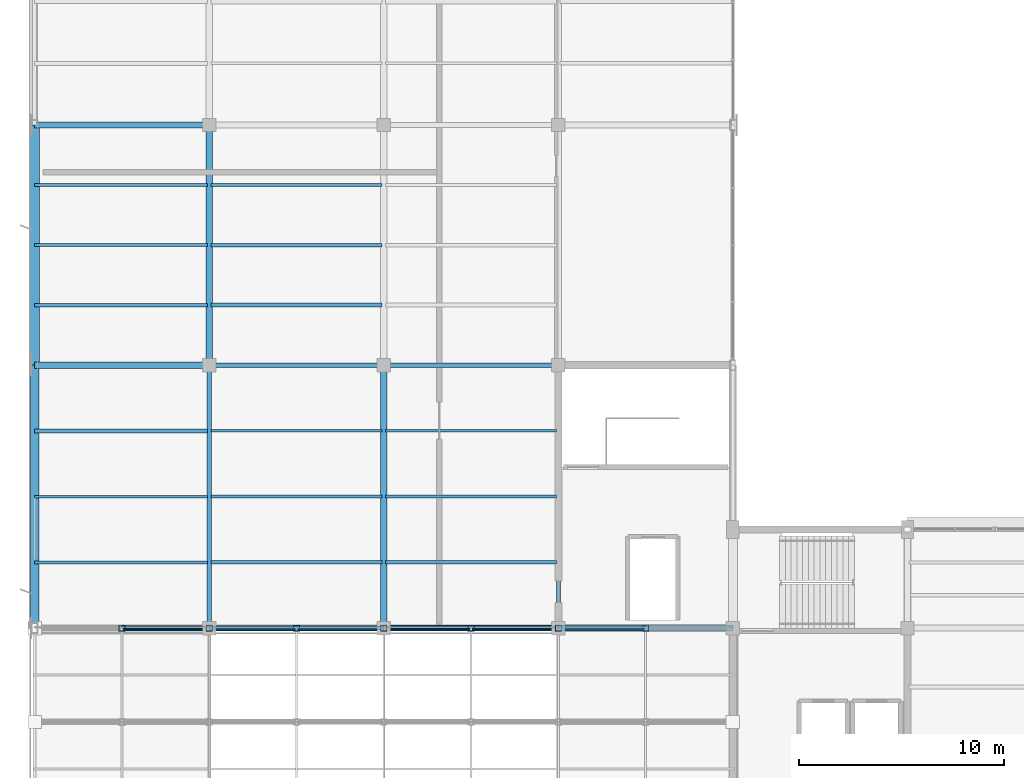
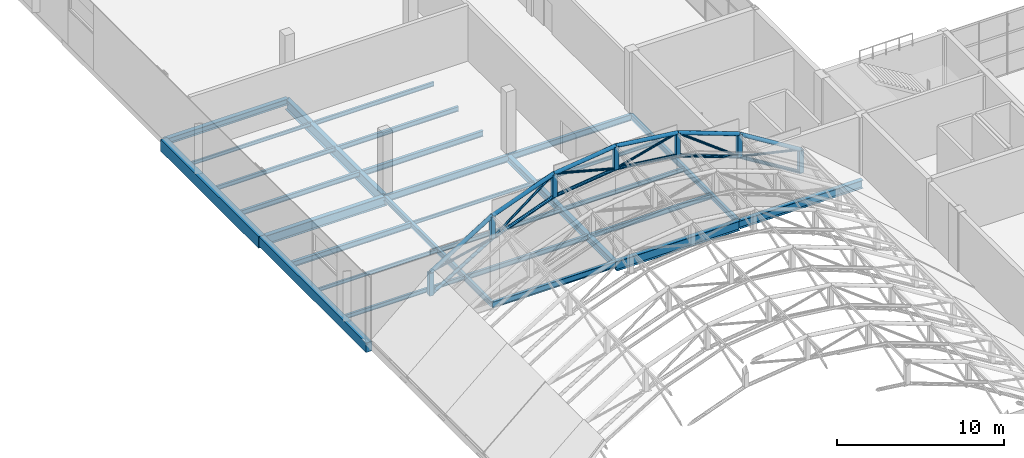
# One storey, part 24 of 86: 28 beams, 25 members.
"""IFC4 building model written with IfcOpenShell, lengths in metres."""

from ifc_helpers import new_model, si_unit, direction, frame, origin, origin_2d, place, context, subcontext, project, spatial, rectangle, hollow_rectangle, hollow_circle, i_section, extrude, material, material_profile, profile_set, type_object, element, save


model = new_model("IFC4")

# Units and contexts
model_context = context("Model", 3, precision=1e-05, world=origin(), true_north=direction((0.0, 1.0)))
body_context = subcontext(model_context, "Body", "Model", "MODEL_VIEW")
ifc_project = project(units=[si_unit("LENGTHUNIT", "METRE"), si_unit("AREAUNIT", "SQUARE_METRE"), si_unit("VOLUMEUNIT", "CUBIC_METRE"), si_unit("PLANEANGLEUNIT", "RADIAN"), si_unit("MASSUNIT", "GRAM", prefix="KILO")], contexts=[model_context])

# Site, building, storey
site_placement = place(None, origin())
site = spatial("IfcSite", under=ifc_project, at=site_placement, CompositionType="ELEMENT")
building_placement = place(site_placement, origin())
building = spatial("IfcBuilding", under=site, at=building_placement, Name="Solvikara Media Centre", CompositionType="ELEMENT")
storey_placement = place(building_placement, frame((0.0, 0.0, 15.0)))
storey = spatial("IfcBuildingStorey", under=building, at=storey_placement, Name="L03", CompositionType="ELEMENT", Elevation=15.0)

# Beams
ifc_material_1 = material(Name="Concrete fc' 35 MPa (C35/45)", Category="concrete")
ifc_material_profile_1 = material_profile(ifc_material_1, rectangle(XDim=0.39990234375, YDim=0.699951171875, at=origin_2d()), Name="RC 400x700")
ifc_profile_set_1 = profile_set([ifc_material_profile_1], Name="Concrete fc' 35 MPa (C35/45)")
beam_type_1 = type_object("IfcBeamType", Name="BM-13", PredefinedType="SPANDREL", material=ifc_profile_set_1)
beam_1_placement = place(storey_placement, frame((0.0, 32.0, -0.610107421875), z_axis=(0.0, 1.0, 0.0), x_axis=(-1.0, 0.0, 0.0)))
element("IfcBeam", 1, at=beam_1_placement, inside=storey, type_object=beam_type_1, Name="B-L03-Y1225", PredefinedType="SPANDREL", context=body_context, shape_type="SweptSolid", body=[
    extrude(rectangle(XDim=0.39990234375, YDim=0.699951171875, at=origin_2d()), origin(), (0.0, 0.0, 1.0), 12.800048828125),
])
ifc_material_profile_2 = material_profile(ifc_material_1, rectangle(XDim=0.449951171875, YDim=0.85009765625, at=origin_2d()), Name="RC 450x850")
ifc_profile_set_2 = profile_set([ifc_material_profile_2], Name="Concrete fc' 35 MPa (C35/45)")
beam_type_2 = type_object("IfcBeamType", Name="BM-14", PredefinedType="SPANDREL", material=ifc_profile_set_2)
beam_2_placement = place(storey_placement, frame((0.0, 44.800048828125, -0.68505859375), z_axis=(0.0, 1.0, 0.0), x_axis=(-1.0, 0.0, 0.0)))
element("IfcBeam", 2, at=beam_2_placement, inside=storey, type_object=beam_type_2, Name="B-L03-Y1226", PredefinedType="SPANDREL", context=body_context, shape_type="SweptSolid", body=[
    extrude(rectangle(XDim=0.449951171875, YDim=0.85009765625, at=origin_2d()), origin(), (0.0, 0.0, 1.0), 11.699951171875),
])
ifc_material_2 = material(Name="Steel S355JR", Category="steel")
ifc_material_profile_3 = material_profile(ifc_material_2, i_section(OverallWidth=0.300048828125, OverallDepth=0.800048828125, WebThickness=0.013916015625, FlangeThickness=0.02587890625, at=origin_2d()), Name="WF 800x300x14x26")
ifc_profile_set_3 = profile_set([ifc_material_profile_3], Name="Steel S355JR")
beam_type_3 = type_object("IfcBeamType", Name="BM-16", PredefinedType="BEAM", material=ifc_profile_set_3)
beam_3_placement = place(storey_placement, frame((8.5, 44.800048828125, -0.662109375), z_axis=(0.0, 1.0, 0.0), x_axis=(-1.0, 0.0, 0.0)))
element("IfcBeam", 3, at=beam_3_placement, inside=storey, type_object=beam_type_3, Name="B-L03-Y1233", PredefinedType="BEAM", context=body_context, shape_type="SweptSolid", body=[
    extrude(i_section(OverallWidth=0.300048828125, OverallDepth=0.800048828125, WebThickness=0.013916015625, FlangeThickness=0.02587890625, at=origin_2d()), origin(), (0.0, 0.0, 1.0), 11.699951171875),
])
ifc_material_profile_4 = material_profile(ifc_material_2, i_section(OverallWidth=0.300048828125, OverallDepth=0.699951171875, WebThickness=0.012939453125, FlangeThickness=0.02392578125, at=origin_2d()), Name="WF 700x300x13x24")
ifc_profile_set_4 = profile_set([ifc_material_profile_4], Name="Steel S355JR")
beam_type_4 = type_object("IfcBeamType", Name="BM-17", PredefinedType="BEAM", material=ifc_profile_set_4)
beam_4_placement = place(storey_placement, frame((0.0, 44.800048828125, -0.612060546875), z_axis=(1.0, 0.0, 0.0), x_axis=(0.0, 1.0, 0.0)))
element("IfcBeam", 4, at=beam_4_placement, inside=storey, type_object=beam_type_4, Name="B-L03-X1192", PredefinedType="BEAM", context=body_context, shape_type="SweptSolid", body=[
    extrude(i_section(OverallWidth=0.300048828125, OverallDepth=0.699951171875, WebThickness=0.012939453125, FlangeThickness=0.02392578125, at=origin_2d()), origin(), (0.0, 0.0, 1.0), 8.5),
])
ifc_material_profile_5 = material_profile(ifc_material_2, i_section(OverallWidth=0.199951171875, OverallDepth=0.5, WebThickness=0.010009765625, FlangeThickness=0.01611328125, at=origin_2d()), Name="WF 500x200x10x16")
ifc_profile_set_5 = profile_set([ifc_material_profile_5], Name="Steel S355JR")
beam_type_5 = type_object("IfcBeamType", Name="BM-19", PredefinedType="BEAM", material=ifc_profile_set_5)
beam_5_placement = place(storey_placement, frame((8.5, 44.800048828125, -0.511962890625), z_axis=(1.0, 0.0, 0.0), x_axis=(0.0, 1.0, 0.0)))
element("IfcBeam", 5, at=beam_5_placement, inside=storey, type_object=beam_type_5, Name="B-L03-X1193", PredefinedType="BEAM", context=body_context, shape_type="SweptSolid", body=[
    extrude(i_section(OverallWidth=0.199951171875, OverallDepth=0.5, WebThickness=0.010009765625, FlangeThickness=0.01611328125, at=origin_2d()), origin(), (0.0, 0.0, 1.0), 8.5),
])
ifc_material_profile_6 = material_profile(ifc_material_2, i_section(OverallWidth=0.199951171875, OverallDepth=0.449951171875, WebThickness=0.009033203125, FlangeThickness=0.013916015625, at=origin_2d()), Name="WF 450x200x9x14")
ifc_profile_set_6 = profile_set([ifc_material_profile_6], Name="Steel S355JR")
beam_type_6 = type_object("IfcBeamType", Name="BM-20", PredefinedType="BEAM", material=ifc_profile_set_6)
for number, where, z_axis, x_axis, name in (
    (6, (8.5, 32.0, -0.487060546875), (1.0, 0.0, 0.0), (0.0, 1.0, 0.0), "B-L03-X1180"),
    (7, (17.0, 44.800048828125, -0.487060546875), (1.0, 0.0, 0.0), (0.0, 1.0, 0.0), "B-L03-X1194"),
):
    element("IfcBeam", number, at=place(storey_placement, frame(where, z_axis=z_axis, x_axis=x_axis)), inside=storey, type_object=beam_type_6, Name=name, PredefinedType="BEAM", context=body_context, shape_type="SweptSolid", body=[
        extrude(i_section(OverallWidth=0.199951171875, OverallDepth=0.449951171875, WebThickness=0.009033203125, FlangeThickness=0.013916015625, at=origin_2d()), origin(), (0.0, 0.0, 1.0), 8.5),
    ])
ifc_material_profile_7 = material_profile(ifc_material_2, i_section(OverallWidth=0.199951171875, OverallDepth=0.39990234375, WebThickness=0.008056640625, FlangeThickness=0.012939453125, at=origin_2d()), Name="WF 400x200x8x13")
ifc_profile_set_7 = profile_set([ifc_material_profile_7], Name="Steel S355JR")
beam_type_7 = type_object("IfcBeamType", Name="BM-21", PredefinedType="JOIST", material=ifc_profile_set_7)
beam_6_placement = place(storey_placement, frame((0.0, 41.60009765625, -0.4619140625), z_axis=(1.0, 0.0, 0.0), x_axis=(0.0, 1.0, 0.0)))
element("IfcBeam", 8, at=beam_6_placement, inside=storey, type_object=beam_type_7, Name="J-L03-1305", PredefinedType="JOIST", context=body_context, shape_type="SweptSolid", body=[
    extrude(i_section(OverallWidth=0.199951171875, OverallDepth=0.39990234375, WebThickness=0.008056640625, FlangeThickness=0.012939453125, at=origin_2d()), origin(), (0.0, 0.0, 1.0), 8.422119140625),
])
ifc_material_profile_8 = material_profile(ifc_material_2, i_section(OverallWidth=0.175048828125, OverallDepth=0.35009765625, WebThickness=0.007080078125, FlangeThickness=0.010986328125, at=origin_2d()), Name="WF 350x175x7x11")
ifc_profile_set_8 = profile_set([ifc_material_profile_8], Name="Steel S355JR")
beam_type_8 = type_object("IfcBeamType", Name="BM-22", PredefinedType="JOIST", material=ifc_profile_set_8)
beam_7_placement = place(storey_placement, frame((0.0, 47.72509765625, -0.43701171875), z_axis=(1.0, 0.0, 0.0), x_axis=(0.0, 1.0, 0.0)))
element("IfcBeam", 9, at=beam_7_placement, inside=storey, type_object=beam_type_8, Name="J-L03-1306", PredefinedType="JOIST", context=body_context, shape_type="SweptSolid", body=[
    extrude(i_section(OverallWidth=0.175048828125, OverallDepth=0.35009765625, WebThickness=0.007080078125, FlangeThickness=0.010986328125, at=origin_2d()), origin(), (0.0, 0.0, 1.0), 8.422119140625),
])
beam_8_placement = place(storey_placement, frame((8.577880859375, 35.199951171875, -0.43701171875), z_axis=(1.0, 0.0, 0.0), x_axis=(0.0, 1.0, 0.0)))
element("IfcBeam", 10, at=beam_8_placement, inside=storey, type_object=beam_type_8, Name="J-L03-1322", PredefinedType="JOIST", context=body_context, shape_type="SweptSolid", body=[
    extrude(i_section(OverallWidth=0.175048828125, OverallDepth=0.35009765625, WebThickness=0.007080078125, FlangeThickness=0.010986328125, at=origin_2d()), origin(), (0.0, 0.0, 1.0), 8.34423828125),
])
ifc_material_profile_9 = material_profile(ifc_material_2, i_section(OverallWidth=0.14990234375, OverallDepth=0.300048828125, WebThickness=0.006591796875, FlangeThickness=0.009033203125, at=origin_2d()), Name="WF 300x150x6.5x9")
ifc_profile_set_9 = profile_set([ifc_material_profile_9], Name="Steel S355JR")
beam_type_9 = type_object("IfcBeamType", Name="BM-23", PredefinedType="JOIST", material=ifc_profile_set_9)
beam_9_placement = place(storey_placement, frame((0.0, 50.64990234375, -0.412109375), z_axis=(1.0, 0.0, 0.0), x_axis=(0.0, 1.0, 0.0)))
element("IfcBeam", 11, at=beam_9_placement, inside=storey, type_object=beam_type_9, Name="J-L03-1307", PredefinedType="JOIST", context=body_context, shape_type="SweptSolid", body=[
    extrude(i_section(OverallWidth=0.14990234375, OverallDepth=0.300048828125, WebThickness=0.006591796875, FlangeThickness=0.009033203125, at=origin_2d()), origin(), (0.0, 0.0, 1.0), 8.422119140625),
])
beam_10_placement = place(storey_placement, frame((8.577880859375, 38.39990234375, -0.412109375), z_axis=(1.0, 0.0, 0.0), x_axis=(0.0, 1.0, 0.0)))
element("IfcBeam", 12, at=beam_10_placement, inside=storey, type_object=beam_type_9, Name="J-L03-1323", PredefinedType="JOIST", context=body_context, shape_type="SweptSolid", body=[
    extrude(i_section(OverallWidth=0.14990234375, OverallDepth=0.300048828125, WebThickness=0.006591796875, FlangeThickness=0.009033203125, at=origin_2d()), origin(), (0.0, 0.0, 1.0), 8.34423828125),
])
ifc_material_profile_10 = material_profile(ifc_material_2, i_section(OverallWidth=0.125, OverallDepth=0.25, WebThickness=0.006103515625, FlangeThickness=0.009033203125, at=origin_2d()), Name="WF 250x125x6x9")
ifc_profile_set_10 = profile_set([ifc_material_profile_10], Name="Steel S355JR")
beam_type_10 = type_object("IfcBeamType", Name="BM-24", PredefinedType="JOIST", material=ifc_profile_set_10)
beam_11_placement = place(storey_placement, frame((0.0, 53.574951171875, -0.386962890625), z_axis=(1.0, 0.0, 0.0), x_axis=(0.0, 1.0, 0.0)))
element("IfcBeam", 13, at=beam_11_placement, inside=storey, type_object=beam_type_10, Name="J-L03-1308", PredefinedType="JOIST", context=body_context, shape_type="SweptSolid", body=[
    extrude(i_section(OverallWidth=0.125, OverallDepth=0.25, WebThickness=0.006103515625, FlangeThickness=0.009033203125, at=origin_2d()), origin(), (0.0, 0.0, 1.0), 8.422119140625),
])
beam_12_placement = place(storey_placement, frame((8.577880859375, 41.60009765625, -0.386962890625), z_axis=(1.0, 0.0, 0.0), x_axis=(0.0, 1.0, 0.0)))
element("IfcBeam", 14, at=beam_12_placement, inside=storey, type_object=beam_type_10, Name="J-L03-1324", PredefinedType="JOIST", context=body_context, shape_type="SweptSolid", body=[
    extrude(i_section(OverallWidth=0.125, OverallDepth=0.25, WebThickness=0.006103515625, FlangeThickness=0.009033203125, at=origin_2d()), origin(), (0.0, 0.0, 1.0), 8.34423828125),
])
ifc_material_profile_11 = material_profile(ifc_material_2, i_section(OverallWidth=0.300048828125, OverallDepth=0.69189453125, WebThickness=0.012939453125, FlangeThickness=0.02001953125, at=origin_2d()), Name="H 692x300x13x20")
ifc_profile_set_11 = profile_set([ifc_material_profile_11], Name="Steel S355JR")
beam_type_11 = type_object("IfcBeamType", Name="BM-25", PredefinedType="BEAM", material=ifc_profile_set_11)
beam_13_placement = place(storey_placement, frame((17.0, 32.0, -0.60791015625), z_axis=(1.0, 0.0, 0.0), x_axis=(0.0, 1.0, 0.0)))
element("IfcBeam", 15, at=beam_13_placement, inside=storey, type_object=beam_type_11, Name="B-L03-X1181", PredefinedType="BEAM", context=body_context, shape_type="SweptSolid", body=[
    extrude(i_section(OverallWidth=0.300048828125, OverallDepth=0.69189453125, WebThickness=0.012939453125, FlangeThickness=0.02001953125, at=origin_2d()), origin(), (0.0, 0.0, 1.0), 8.5),
])
ifc_material_profile_12 = material_profile(ifc_material_2, i_section(OverallWidth=0.300048828125, OverallDepth=0.587890625, WebThickness=0.011962890625, FlangeThickness=0.02001953125, at=origin_2d()), Name="H 588x300x12x20")
ifc_profile_set_12 = profile_set([ifc_material_profile_12], Name="Steel S355JR")
beam_type_12 = type_object("IfcBeamType", Name="BM-26", PredefinedType="BEAM", material=ifc_profile_set_12)
beam_14_placement = place(storey_placement, frame((25.5, 32.0, -0.555908203125), z_axis=(1.0, 0.0, 0.0), x_axis=(0.0, 1.0, 0.0)))
element("IfcBeam", 16, at=beam_14_placement, inside=storey, type_object=beam_type_12, Name="B-L03-X1182", PredefinedType="BEAM", context=body_context, shape_type="SweptSolid", body=[
    extrude(i_section(OverallWidth=0.300048828125, OverallDepth=0.587890625, WebThickness=0.011962890625, FlangeThickness=0.02001953125, at=origin_2d()), origin(), (0.0, 0.0, 1.0), 8.5),
])
ifc_material_profile_13 = material_profile(ifc_material_2, i_section(OverallWidth=0.300048828125, OverallDepth=0.488037109375, WebThickness=0.010986328125, FlangeThickness=0.01806640625, at=origin_2d()), Name="H 488x300x11x18")
ifc_profile_set_13 = profile_set([ifc_material_profile_13], Name="Steel S355JR")
beam_type_13 = type_object("IfcBeamType", Name="BM-27", PredefinedType="BEAM", material=ifc_profile_set_13)
beam_15_placement = place(storey_placement, frame((17.0, 32.0, -0.506103515625), z_axis=(0.0, 1.0, 0.0), x_axis=(-1.0, 0.0, 0.0)))
element("IfcBeam", 17, at=beam_15_placement, inside=storey, type_object=beam_type_13, Name="B-L03-Y1239", PredefinedType="BEAM", context=body_context, shape_type="SweptSolid", body=[
    extrude(i_section(OverallWidth=0.300048828125, OverallDepth=0.488037109375, WebThickness=0.010986328125, FlangeThickness=0.01806640625, at=origin_2d()), origin(), (0.0, 0.0, 1.0), 12.800048828125),
])
ifc_material_profile_14 = material_profile(ifc_material_2, i_section(OverallWidth=0.300048828125, OverallDepth=0.43994140625, WebThickness=0.010986328125, FlangeThickness=0.01806640625, at=origin_2d()), Name="H 440x300x11x18")
ifc_profile_set_14 = profile_set([ifc_material_profile_14], Name="Steel S355JR")
beam_type_14 = type_object("IfcBeamType", Name="BM-28", PredefinedType="BEAM", material=ifc_profile_set_14)
beam_16_placement = place(storey_placement, frame((0.0, 56.5, -0.48193359375), z_axis=(1.0, 0.0, 0.0), x_axis=(0.0, 1.0, 0.0)))
element("IfcBeam", 18, at=beam_16_placement, inside=storey, type_object=beam_type_14, Name="B-L03-X1198", PredefinedType="BEAM", context=body_context, shape_type="SweptSolid", body=[
    extrude(i_section(OverallWidth=0.300048828125, OverallDepth=0.43994140625, WebThickness=0.010986328125, FlangeThickness=0.01806640625, at=origin_2d()), origin(), (0.0, 0.0, 1.0), 8.5),
])
ifc_material_profile_15 = material_profile(ifc_material_2, i_section(OverallWidth=0.198974609375, OverallDepth=0.39599609375, WebThickness=0.007080078125, FlangeThickness=0.010986328125, at=origin_2d()), Name="WF 396x199x7x11")
ifc_profile_set_15 = profile_set([ifc_material_profile_15], Name="Steel S355JR")
beam_type_15 = type_object("IfcBeamType", Name="BM-37", PredefinedType="JOIST", material=ifc_profile_set_15)
beam_17_placement = place(storey_placement, frame((8.577880859375, 47.72509765625, -0.4599609375), z_axis=(1.0, 0.0, 0.0), x_axis=(0.0, 1.0, 0.0)))
element("IfcBeam", 19, at=beam_17_placement, inside=storey, type_object=beam_type_15, Name="J-L03-1325", PredefinedType="JOIST", context=body_context, shape_type="SweptSolid", body=[
    extrude(i_section(OverallWidth=0.198974609375, OverallDepth=0.39599609375, WebThickness=0.007080078125, FlangeThickness=0.010986328125, at=origin_2d()), origin(), (0.0, 0.0, 1.0), 8.34423828125),
])
ifc_material_profile_16 = material_profile(ifc_material_2, i_section(OverallWidth=0.174072265625, OverallDepth=0.345947265625, WebThickness=0.006103515625, FlangeThickness=0.009033203125, at=origin_2d()), Name="WF 346x174x6x9")
ifc_profile_set_16 = profile_set([ifc_material_profile_16], Name="Steel S355JR")
beam_type_16 = type_object("IfcBeamType", Name="BM-38", PredefinedType="JOIST", material=ifc_profile_set_16)
for number, where, z_axis, x_axis, name in (
    (20, (8.577880859375, 50.64990234375, -0.43505859375), (1.0, 0.0, 0.0), (0.0, 1.0, 0.0), "J-L03-1326"),
    (21, (17.077880859375, 35.199951171875, -0.43505859375), (1.0, 0.0, 0.0), (0.0, 1.0, 0.0), "J-L03-1342"),
):
    element("IfcBeam", number, at=place(storey_placement, frame(where, z_axis=z_axis, x_axis=x_axis)), inside=storey, type_object=beam_type_16, Name=name, PredefinedType="JOIST", context=body_context, shape_type="SweptSolid", body=[
        extrude(i_section(OverallWidth=0.174072265625, OverallDepth=0.345947265625, WebThickness=0.006103515625, FlangeThickness=0.009033203125, at=origin_2d()), origin(), (0.0, 0.0, 1.0), 8.34423828125),
    ])
ifc_material_profile_17 = material_profile(ifc_material_2, i_section(OverallWidth=0.14892578125, OverallDepth=0.298095703125, WebThickness=0.005615234375, FlangeThickness=0.008056640625, at=origin_2d()), Name="WF 298x149x5.5x8")
ifc_profile_set_17 = profile_set([ifc_material_profile_17], Name="Steel S355JR")
beam_type_17 = type_object("IfcBeamType", Name="BM-39", PredefinedType="JOIST", material=ifc_profile_set_17)
beam_18_placement = place(storey_placement, frame((0.0, 35.199951171875, -0.410888671875), z_axis=(1.0, 0.0, 0.0), x_axis=(0.0, 1.0, 0.0)))
element("IfcBeam", 22, at=beam_18_placement, inside=storey, type_object=beam_type_17, Name="J-L03-1303", PredefinedType="JOIST", context=body_context, shape_type="SweptSolid", body=[
    extrude(i_section(OverallWidth=0.14892578125, OverallDepth=0.298095703125, WebThickness=0.005615234375, FlangeThickness=0.008056640625, at=origin_2d()), origin(), (0.0, 0.0, 1.0), 8.422119140625),
])
for number, where, z_axis, x_axis, name in (
    (23, (8.577880859375, 53.574951171875, -0.410888671875), (1.0, 0.0, 0.0), (0.0, 1.0, 0.0), "J-L03-1327"),
    (24, (17.077880859375, 38.39990234375, -0.410888671875), (1.0, 0.0, 0.0), (0.0, 1.0, 0.0), "J-L03-1343"),
):
    element("IfcBeam", number, at=place(storey_placement, frame(where, z_axis=z_axis, x_axis=x_axis)), inside=storey, type_object=beam_type_17, Name=name, PredefinedType="JOIST", context=body_context, shape_type="SweptSolid", body=[
        extrude(i_section(OverallWidth=0.14892578125, OverallDepth=0.298095703125, WebThickness=0.005615234375, FlangeThickness=0.008056640625, at=origin_2d()), origin(), (0.0, 0.0, 1.0), 8.34423828125),
    ])
ifc_material_profile_18 = material_profile(ifc_material_2, i_section(OverallWidth=0.1240234375, OverallDepth=0.248046875, WebThickness=0.0048828125, FlangeThickness=0.008056640625, at=origin_2d()), Name="WF 248x124x5x8")
ifc_profile_set_18 = profile_set([ifc_material_profile_18], Name="Steel S355JR")
beam_type_18 = type_object("IfcBeamType", Name="BM-40", PredefinedType="JOIST", material=ifc_profile_set_18)
beam_19_placement = place(storey_placement, frame((0.0, 38.39990234375, -0.385986328125), z_axis=(1.0, 0.0, 0.0), x_axis=(0.0, 1.0, 0.0)))
element("IfcBeam", 25, at=beam_19_placement, inside=storey, type_object=beam_type_18, Name="J-L03-1304", PredefinedType="JOIST", context=body_context, shape_type="SweptSolid", body=[
    extrude(i_section(OverallWidth=0.1240234375, OverallDepth=0.248046875, WebThickness=0.0048828125, FlangeThickness=0.008056640625, at=origin_2d()), origin(), (0.0, 0.0, 1.0), 8.422119140625),
])
beam_20_placement = place(storey_placement, frame((17.077880859375, 41.60009765625, -0.385986328125), z_axis=(1.0, 0.0, 0.0), x_axis=(0.0, 1.0, 0.0)))
element("IfcBeam", 26, at=beam_20_placement, inside=storey, type_object=beam_type_18, Name="J-L03-1344", PredefinedType="JOIST", context=body_context, shape_type="SweptSolid", body=[
    extrude(i_section(OverallWidth=0.1240234375, OverallDepth=0.248046875, WebThickness=0.0048828125, FlangeThickness=0.008056640625, at=origin_2d()), origin(), (0.0, 0.0, 1.0), 8.34423828125),
])
ifc_material_profile_19 = material_profile(ifc_material_2, i_section(OverallWidth=0.198974609375, OverallDepth=0.39599609375, WebThickness=0.007080078125, FlangeThickness=0.010986328125, at=origin_2d()), Name="H 396x199x7x11")
ifc_profile_set_19 = profile_set([ifc_material_profile_19], Name="Steel S355JR")
beam_type_19 = type_object("IfcBeamType", Name="BM-44", PredefinedType="BEAM", material=ifc_profile_set_19)
for number, where, z_axis, x_axis, name in (
    (27, (8.5, 32.0, -0.4599609375), (0.0, 1.0, 0.0), (-1.0, 0.0, 0.0), "B-L03-Y1232"),
    (28, (25.5, 32.0, -0.4599609375), (0.0, 1.0, 0.0), (-1.0, 0.0, 0.0), "B-L03-Y1246"),
):
    element("IfcBeam", number, at=place(storey_placement, frame(where, z_axis=z_axis, x_axis=x_axis)), inside=storey, type_object=beam_type_19, Name=name, PredefinedType="BEAM", context=body_context, shape_type="SweptSolid", body=[
        extrude(i_section(OverallWidth=0.198974609375, OverallDepth=0.39599609375, WebThickness=0.007080078125, FlangeThickness=0.010986328125, at=origin_2d()), origin(), (0.0, 0.0, 1.0), 12.800048828125),
    ])

# Members
ifc_material_profile_20 = material_profile(ifc_material_2, hollow_circle(Radius=0.136474609375, WallThickness=0.010009765625, at=origin_2d()), Name="CHS 273x10")
ifc_profile_set_20 = profile_set([ifc_material_profile_20], Name="Steel S355JR")
member_type_1 = type_object("IfcMemberType", Name="MB-03", PredefinedType="CHORD", material=ifc_profile_set_20)
member_1_placement = place(storey_placement, frame((4.25, 32.0, 3.3798828125), z_axis=(0.850797997359, 0.0, 0.525492880722), x_axis=(0.0, 1.0, 0.0)))
element("IfcMember", 29, at=member_1_placement, inside=storey, type_object=member_type_1, Name="Space Frame Vault Chord GC-TC-07-01", PredefinedType="CHORD", context=body_context, shape_type="SweptSolid", body=[
    extrude(hollow_circle(Radius=0.136474609375, WallThickness=0.010009765625, at=origin_2d()), origin(), (0.0, 0.0, 1.0), 4.995361328125),
])
member_2_placement = place(storey_placement, frame((8.5, 32.0, 6.0048828125), z_axis=(0.937668166589, 0.0, 0.347531882516), x_axis=(0.0, 1.0, 0.0)))
element("IfcMember", 30, at=member_2_placement, inside=storey, type_object=member_type_1, Name="Space Frame Vault Chord GC-TC-07-02", PredefinedType="CHORD", context=body_context, shape_type="SweptSolid", body=[
    extrude(hollow_circle(Radius=0.136474609375, WallThickness=0.010009765625, at=origin_2d()), origin(), (0.0, 0.0, 1.0), 4.532470703125),
])
for number, where, z_axis, x_axis, name in (
    (31, (12.75, 32.0, 7.580078125), (0.992459240716, 0.0, 0.122575101536), (0.0, 1.0, 0.0), "Space Frame Vault Chord GC-TC-07-03"),
    (32, (17.0, 32.0, 8.10498046875), (0.992459240716, 0.0, -0.122575101536), (0.0, 1.0, 0.0), "Space Frame Vault Chord GC-TC-07-04"),
):
    element("IfcMember", number, at=place(storey_placement, frame(where, z_axis=z_axis, x_axis=x_axis)), inside=storey, type_object=member_type_1, Name=name, PredefinedType="CHORD", context=body_context, shape_type="SweptSolid", body=[
        extrude(hollow_circle(Radius=0.136474609375, WallThickness=0.010009765625, at=origin_2d()), origin(), (0.0, 0.0, 1.0), 4.2822265625),
    ])
member_3_placement = place(storey_placement, frame((21.25, 32.0, 7.580078125), z_axis=(0.937668166589, 0.0, -0.347531882516), x_axis=(0.0, 1.0, 0.0)))
element("IfcMember", 33, at=member_3_placement, inside=storey, type_object=member_type_1, Name="Space Frame Vault Chord GC-TC-07-05", PredefinedType="CHORD", context=body_context, shape_type="SweptSolid", body=[
    extrude(hollow_circle(Radius=0.136474609375, WallThickness=0.010009765625, at=origin_2d()), origin(), (0.0, 0.0, 1.0), 4.532470703125),
])
member_4_placement = place(storey_placement, frame((25.5, 32.0, 6.0048828125), z_axis=(0.850797997359, 0.0, -0.525492880722), x_axis=(0.0, 1.0, 0.0)))
element("IfcMember", 34, at=member_4_placement, inside=storey, type_object=member_type_1, Name="Space Frame Vault Chord GC-TC-07-06", PredefinedType="CHORD", context=body_context, shape_type="SweptSolid", body=[
    extrude(hollow_circle(Radius=0.136474609375, WallThickness=0.010009765625, at=origin_2d()), origin(), (0.0, 0.0, 1.0), 4.995361328125),
])
ifc_material_profile_21 = material_profile(ifc_material_2, hollow_circle(Radius=0.122314453125, WallThickness=0.010009765625, at=origin_2d()), Name="CHS 244.5x10")
ifc_profile_set_21 = profile_set([ifc_material_profile_21], Name="Steel S355JR")
member_type_2 = type_object("IfcMemberType", Name="MB-04", PredefinedType="CHORD", material=ifc_profile_set_21)
member_5_placement = place(storey_placement, frame((4.25, 32.0, 1.72998046875), z_axis=(0.850797997359, 0.0, 0.525492880722), x_axis=(0.0, 1.0, 0.0)))
element("IfcMember", 35, at=member_5_placement, inside=storey, type_object=member_type_2, Name="GC-BC-07-01", PredefinedType="CHORD", context=body_context, shape_type="SweptSolid", body=[
    extrude(hollow_circle(Radius=0.122314453125, WallThickness=0.010009765625, at=origin_2d()), origin(), (0.0, 0.0, 1.0), 4.995361328125),
])
member_6_placement = place(storey_placement, frame((8.5, 32.0, 4.35498046875), z_axis=(0.93768571843, 0.0, 0.34748452261), x_axis=(0.0, 1.0, 0.0)))
element("IfcMember", 36, at=member_6_placement, inside=storey, type_object=member_type_2, Name="GC-BC-07-02", PredefinedType="CHORD", context=body_context, shape_type="SweptSolid", body=[
    extrude(hollow_circle(Radius=0.122314453125, WallThickness=0.010009765625, at=origin_2d()), origin(), (0.0, 0.0, 1.0), 4.532470703125),
])
for number, where, z_axis, x_axis, name in (
    (37, (12.75, 32.0, 5.929931640625), (0.992452303661, 0.0, 0.122631256042), (0.0, 1.0, 0.0), "GC-BC-07-03"),
    (38, (17.0, 32.0, 6.455078125), (0.992452303661, 0.0, -0.122631256042), (0.0, 1.0, 0.0), "GC-BC-07-04"),
):
    element("IfcMember", number, at=place(storey_placement, frame(where, z_axis=z_axis, x_axis=x_axis)), inside=storey, type_object=member_type_2, Name=name, PredefinedType="CHORD", context=body_context, shape_type="SweptSolid", body=[
        extrude(hollow_circle(Radius=0.122314453125, WallThickness=0.010009765625, at=origin_2d()), origin(), (0.0, 0.0, 1.0), 4.2822265625),
    ])
member_7_placement = place(storey_placement, frame((21.25, 32.0, 5.929931640625), z_axis=(0.93768571843, 0.0, -0.34748452261), x_axis=(0.0, 1.0, 0.0)))
element("IfcMember", 39, at=member_7_placement, inside=storey, type_object=member_type_2, Name="GC-BC-07-05", PredefinedType="CHORD", context=body_context, shape_type="SweptSolid", body=[
    extrude(hollow_circle(Radius=0.122314453125, WallThickness=0.010009765625, at=origin_2d()), origin(), (0.0, 0.0, 1.0), 4.532470703125),
])
member_8_placement = place(storey_placement, frame((25.5, 32.0, 4.35498046875), z_axis=(0.850797997359, 0.0, -0.525492880722), x_axis=(0.0, 1.0, 0.0)))
element("IfcMember", 40, at=member_8_placement, inside=storey, type_object=member_type_2, Name="GC-BC-07-06", PredefinedType="CHORD", context=body_context, shape_type="SweptSolid", body=[
    extrude(hollow_circle(Radius=0.122314453125, WallThickness=0.010009765625, at=origin_2d()), origin(), (0.0, 0.0, 1.0), 4.995361328125),
])
ifc_material_profile_22 = material_profile(ifc_material_2, hollow_circle(Radius=0.084228515625, WallThickness=0.007080078125, at=origin_2d()), Name="CHS 168.3x7.1")
ifc_profile_set_22 = profile_set([ifc_material_profile_22], Name="Steel S355JR")
member_type_3 = type_object("IfcMemberType", Name="MB-07", PredefinedType="BRACE", material=ifc_profile_set_22)
member_9_placement = place(storey_placement, frame((4.25, 32.0, 3.3798828125), z_axis=(0.974675396372, 0.0, 0.223624398731), x_axis=(0.0, 1.0, 0.0)))
element("IfcMember", 41, at=member_9_placement, inside=storey, type_object=member_type_3, Name="GC-DG-07-01", PredefinedType="BRACE", context=body_context, shape_type="SweptSolid", body=[
    extrude(hollow_circle(Radius=0.084228515625, WallThickness=0.007080078125, at=origin_2d()), origin(), (0.0, 0.0, 1.0), 4.3603515625),
])
member_10_placement = place(storey_placement, frame((8.5, 32.0, 4.35498046875), z_axis=(0.796604645228, 0.0, 0.604500652772), x_axis=(0.0, 1.0, 0.0)))
element("IfcMember", 42, at=member_10_placement, inside=storey, type_object=member_type_3, Name="GC-DG-07-02", PredefinedType="BRACE", context=body_context, shape_type="SweptSolid", body=[
    extrude(hollow_circle(Radius=0.084228515625, WallThickness=0.007080078125, at=origin_2d()), origin(), (0.0, 0.0, 1.0), 5.335205078125),
])
for number, where, z_axis, x_axis, name in (
    (43, (12.75, 32.0, 7.580078125), (0.966705227862, 0.0, -0.255892560316), (0.0, 1.0, 0.0), "GC-DG-07-03"),
    (44, (17.0, 32.0, 6.455078125), (0.966705227862, 0.0, 0.255892560316), (0.0, 1.0, 0.0), "GC-DG-07-04"),
):
    element("IfcMember", number, at=place(storey_placement, frame(where, z_axis=z_axis, x_axis=x_axis)), inside=storey, type_object=member_type_3, Name=name, PredefinedType="BRACE", context=body_context, shape_type="SweptSolid", body=[
        extrude(hollow_circle(Radius=0.084228515625, WallThickness=0.007080078125, at=origin_2d()), origin(), (0.0, 0.0, 1.0), 4.396484375),
    ])
member_11_placement = place(storey_placement, frame((21.25, 32.0, 7.580078125), z_axis=(0.796604645228, 0.0, -0.604500652772), x_axis=(0.0, 1.0, 0.0)))
element("IfcMember", 45, at=member_11_placement, inside=storey, type_object=member_type_3, Name="GC-DG-07-05", PredefinedType="BRACE", context=body_context, shape_type="SweptSolid", body=[
    extrude(hollow_circle(Radius=0.084228515625, WallThickness=0.007080078125, at=origin_2d()), origin(), (0.0, 0.0, 1.0), 5.335205078125),
])
member_12_placement = place(storey_placement, frame((25.5, 32.0, 4.35498046875), z_axis=(0.974675396372, 0.0, -0.223624398731), x_axis=(0.0, 1.0, 0.0)))
element("IfcMember", 46, at=member_12_placement, inside=storey, type_object=member_type_3, Name="GC-DG-07-06", PredefinedType="BRACE", context=body_context, shape_type="SweptSolid", body=[
    extrude(hollow_circle(Radius=0.084228515625, WallThickness=0.007080078125, at=origin_2d()), origin(), (0.0, 0.0, 1.0), 4.3603515625),
])
ifc_material_profile_23 = material_profile(ifc_material_2, hollow_rectangle(XDim=0.300048828125, YDim=0.300048828125, WallThickness=0.012451171875, at=origin_2d()), Name="RHS 300x300x12.5")
ifc_profile_set_23 = profile_set([ifc_material_profile_23], Name="Steel S355JR")
member_type_4 = type_object("IfcMemberType", Name="MB-11", PredefinedType="CHORD", material=ifc_profile_set_23)
for number, where, z_axis, x_axis, name in (
    (47, (4.25, 32.0, 1.72998046875), (0.0, 0.0, 1.0), (1.0, 0.0, 0.0), "GC-VT-07-01"),
    (48, (8.5, 32.0, 4.35498046875), (0.0, 0.0, 1.0), (1.0, 0.0, 0.0), "GC-VT-07-02"),
):
    element("IfcMember", number, at=place(storey_placement, frame(where, z_axis=z_axis, x_axis=x_axis)), inside=storey, type_object=member_type_4, Name=name, PredefinedType="CHORD", context=body_context, shape_type="SweptSolid", body=[
        extrude(hollow_rectangle(XDim=0.300048828125, YDim=0.300048828125, WallThickness=0.012451171875, at=origin_2d()), origin(), (0.0, 0.0, 1.0), 1.64990234375),
    ])
member_13_placement = place(storey_placement, frame((12.75, 32.0, 5.929931640625), z_axis=(0.0, 0.0, 1.0), x_axis=(1.0, 0.0, 0.0)))
element("IfcMember", 49, at=member_13_placement, inside=storey, type_object=member_type_4, Name="GC-VT-07-03", PredefinedType="CHORD", context=body_context, shape_type="SweptSolid", body=[
    extrude(hollow_rectangle(XDim=0.300048828125, YDim=0.300048828125, WallThickness=0.012451171875, at=origin_2d()), origin(), (0.0, 0.0, 1.0), 1.650146484375),
])
member_14_placement = place(storey_placement, frame((17.0, 32.0, 6.455078125), z_axis=(0.0, 0.0, 1.0), x_axis=(1.0, 0.0, 0.0)))
element("IfcMember", 50, at=member_14_placement, inside=storey, type_object=member_type_4, Name="GC-VT-07-04", PredefinedType="CHORD", context=body_context, shape_type="SweptSolid", body=[
    extrude(hollow_rectangle(XDim=0.300048828125, YDim=0.300048828125, WallThickness=0.012451171875, at=origin_2d()), origin(), (0.0, 0.0, 1.0), 1.64990234375),
])
member_15_placement = place(storey_placement, frame((21.25, 32.0, 5.929931640625), z_axis=(0.0, 0.0, 1.0), x_axis=(1.0, 0.0, 0.0)))
element("IfcMember", 51, at=member_15_placement, inside=storey, type_object=member_type_4, Name="GC-VT-07-05", PredefinedType="CHORD", context=body_context, shape_type="SweptSolid", body=[
    extrude(hollow_rectangle(XDim=0.300048828125, YDim=0.300048828125, WallThickness=0.012451171875, at=origin_2d()), origin(), (0.0, 0.0, 1.0), 1.650146484375),
])
for number, where, z_axis, x_axis, name in (
    (52, (25.5, 32.0, 4.35498046875), (0.0, 0.0, 1.0), (1.0, 0.0, 0.0), "GC-VT-07-06"),
    (53, (29.75, 32.0, 1.72998046875), (0.0, 0.0, 1.0), (1.0, 0.0, 0.0), "GC-VT-07-07"),
):
    element("IfcMember", number, at=place(storey_placement, frame(where, z_axis=z_axis, x_axis=x_axis)), inside=storey, type_object=member_type_4, Name=name, PredefinedType="CHORD", context=body_context, shape_type="SweptSolid", body=[
        extrude(hollow_rectangle(XDim=0.300048828125, YDim=0.300048828125, WallThickness=0.012451171875, at=origin_2d()), origin(), (0.0, 0.0, 1.0), 1.64990234375),
    ])

save(model, "model.ifc")
